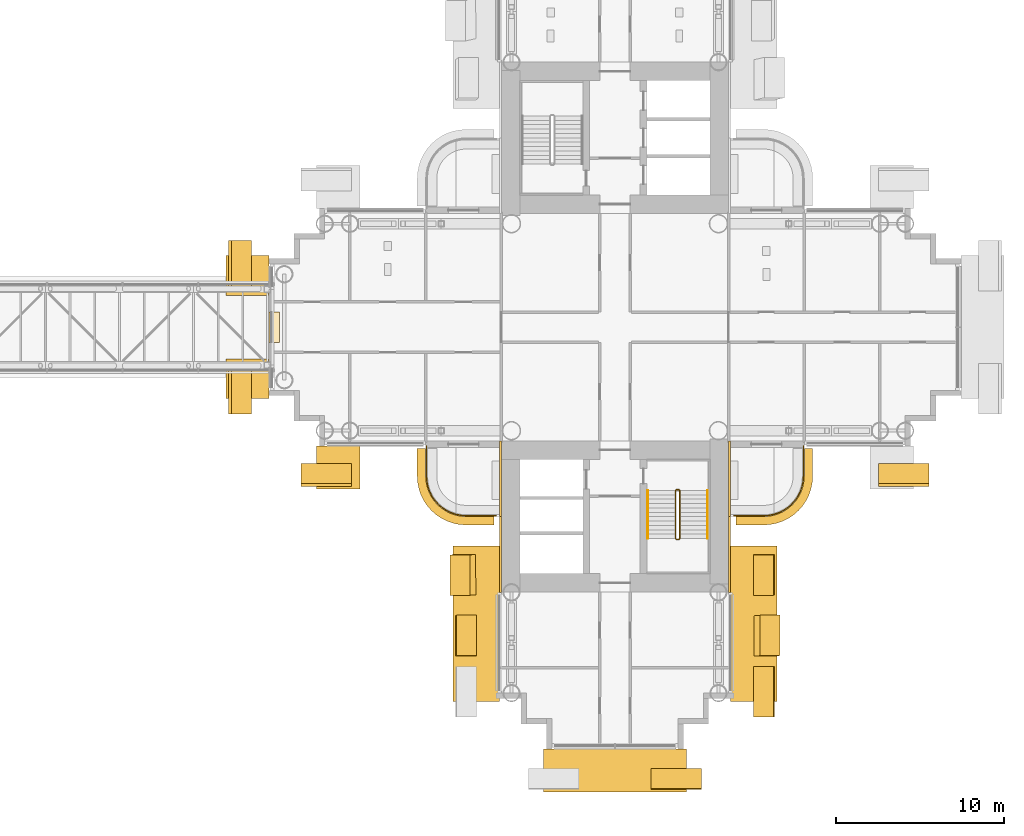
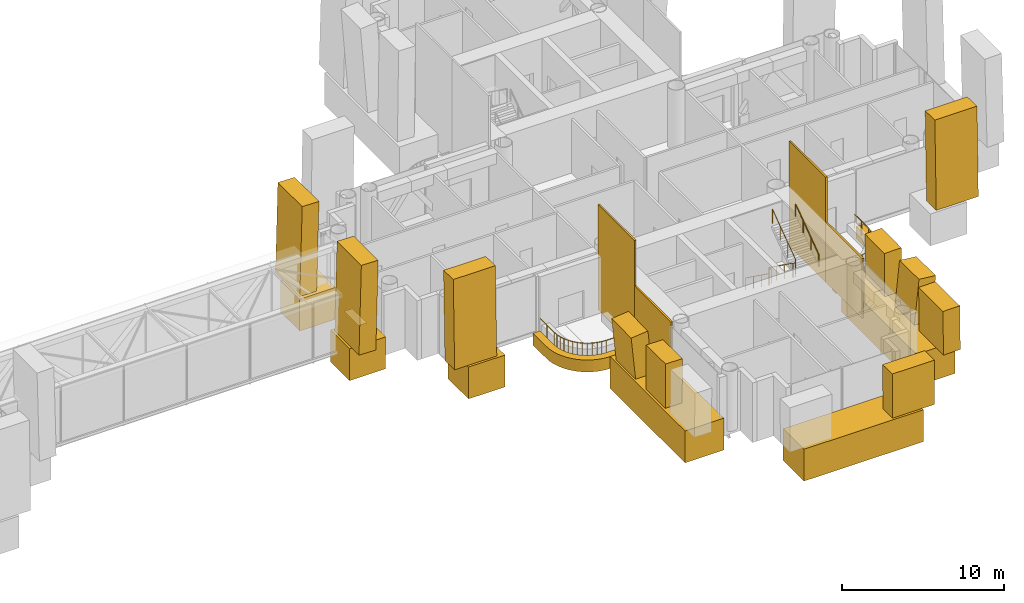
# One storey, part 25 of 27: 23 coverings, 5 railings.
"""IFC4 building model written with IfcOpenShell, lengths in metres."""

from ifc_helpers import new_model, si_unit, direction, frame, origin, origin_2d, place, context, subcontext, project, spatial, polyline, rectangle, circle, outline, extrude, material, layer, layer_set, material_profile, profile_set, type_object, element, save


model = new_model("IFC4")

# Units and contexts
model_context = context("Model", 3, precision=1e-05, world=origin(), true_north=direction((0.0, 1.0)))
body_context = subcontext(model_context, "Body", "Model", "MODEL_VIEW")
ifc_project = project(units=[si_unit("LENGTHUNIT", "METRE"), si_unit("AREAUNIT", "SQUARE_METRE"), si_unit("VOLUMEUNIT", "CUBIC_METRE"), si_unit("PLANEANGLEUNIT", "RADIAN"), si_unit("MASSUNIT", "GRAM", prefix="KILO")], contexts=[model_context])

# Site, building, storey
site_placement = place(None, origin())
site = spatial("IfcSite", under=ifc_project, at=site_placement, CompositionType="ELEMENT")
building_placement = place(site_placement, origin())
building = spatial("IfcBuilding", under=site, at=building_placement, Name="Ipe Terrace Towers", CompositionType="ELEMENT")
storey_placement = place(building_placement, frame((0.0, 0.0, 72.10009765625)))
storey = spatial("IfcBuildingStorey", under=building, at=storey_placement, Name="L19", CompositionType="ELEMENT", Elevation=72.10009765625)

# Railings
ifc_material_1 = material(Name="Stainless steel S316", Category="steel")
railing_type_1 = type_object("IfcRailingType", Name="GUARD 1100", PredefinedType="BALUSTRADE", material=ifc_material_1)
railing_1_placement = place(storey_placement, frame((24.800048828125, -7.070068359375, -0.02001953125)))
element("IfcRailing", 1, at=railing_1_placement, inside=storey, type_object=railing_type_1, Name="guard", PredefinedType="BALUSTRADE", context=body_context, shape_type="SweptSolid", body=[
    extrude(circle(Radius=0.02392578125, at=origin_2d()), frame((0.0, 0.0, 1.076171875), z_axis=(0.0, -1.0, 0.0), x_axis=(1.0, 0.0, 0.0)), (0.0, 0.0, 1.0), 1.77783203125),
    extrude(circle(Radius=0.02392578125, at=origin_2d()), frame((0.0, -1.77783203125, 1.076171875), z_axis=(0.064635492184, -0.99790894031, 0.0), x_axis=(0.99790894031, 0.064635492184, 0.0)), (0.0, 0.0, 1.0), 0.309814453125),
    extrude(circle(Radius=0.02392578125, at=origin_2d()), frame((0.02001953125, -2.0869140625, 1.076171875), z_axis=(0.194892169718, -0.980824674538, 0.0), x_axis=(0.980824674538, 0.194892169718, 0.0)), (0.0, 0.0, 1.0), 0.306884765625),
    extrude(circle(Radius=0.02392578125, at=origin_2d()), frame((0.079833984375, -2.387939453125, 1.076171875), z_axis=(0.322415209212, -0.946598348228, 0.0), x_axis=(0.946598348228, 0.322415209212, 0.0)), (0.0, 0.0, 1.0), 0.307373046875),
    extrude(circle(Radius=0.02392578125, at=origin_2d()), frame((0.178955078125, -2.678955078125, 1.076171875), z_axis=(0.44212629539, -0.896952807524, 0.0), x_axis=(0.896952807524, 0.44212629539, 0.0)), (0.0, 0.0, 1.0), 0.3076171875),
    extrude(circle(Radius=0.02392578125, at=origin_2d()), frame((0.31494140625, -2.954833984375, 1.076171875), z_axis=(0.555066120228, -0.831806228742, 0.0), x_axis=(0.831806228742, 0.555066120228, 0.0)), (0.0, 0.0, 1.0), 0.307861328125),
    extrude(circle(Radius=0.02392578125, at=origin_2d()), frame((0.48583984375, -3.2109375, 1.076171875), z_axis=(0.658617227954, -0.752478137252, 0.0), x_axis=(0.752478137252, 0.658617227954, 0.0)), (0.0, 0.0, 1.0), 0.306884765625),
    extrude(circle(Radius=0.02392578125, at=origin_2d()), frame((0.68798828125, -3.44189453125, 1.076171875), z_axis=(0.752478137252, -0.658617227954, 0.0), x_axis=(0.658617227954, 0.752478137252, 0.0)), (0.0, 0.0, 1.0), 0.306884765625),
    extrude(circle(Radius=0.02392578125, at=origin_2d()), frame((0.9189453125, -3.64404296875, 1.076171875), z_axis=(0.831806228742, -0.555066120228, 0.0), x_axis=(0.555066120228, 0.831806228742, 0.0)), (0.0, 0.0, 1.0), 0.307861328125),
    extrude(circle(Radius=0.02392578125, at=origin_2d()), frame((1.175048828125, -3.81494140625, 1.076171875), z_axis=(0.896952807524, -0.44212629539, 0.0), x_axis=(0.44212629539, 0.896952807524, 0.0)), (0.0, 0.0, 1.0), 0.3076171875),
    extrude(circle(Radius=0.02392578125, at=origin_2d()), frame((1.450927734375, -3.950927734375, 1.076171875), z_axis=(0.946598348228, -0.322415209212, 0.0), x_axis=(0.322415209212, 0.946598348228, 0.0)), (0.0, 0.0, 1.0), 0.307373046875),
    extrude(circle(Radius=0.02392578125, at=origin_2d()), frame((1.741943359375, -4.050048828125, 1.076171875), z_axis=(0.980824674538, -0.194892169718, 0.0), x_axis=(0.194892169718, 0.980824674538, 0.0)), (0.0, 0.0, 1.0), 0.306884765625),
    extrude(circle(Radius=0.02392578125, at=origin_2d()), frame((2.04296875, -4.10986328125, 1.076171875), z_axis=(0.99790894031, -0.064635492184, 0.0), x_axis=(0.064635492184, 0.99790894031, 0.0)), (0.0, 0.0, 1.0), 0.309814453125),
    extrude(circle(Radius=0.02392578125, at=origin_2d()), frame((2.35205078125, -4.1298828125, 1.076171875), z_axis=(1.0, 0.0, 0.0), x_axis=(0.0, 1.0, 0.0)), (0.0, 0.0, 1.0), 1.77783203125),
    extrude(circle(Radius=0.02099609375, at=origin_2d()), origin(), (0.0, 0.0, 1.0), 1.052001953125),
    extrude(circle(Radius=0.02099609375, at=origin_2d()), frame((0.0, -0.888916015625, 0.0)), (0.0, 0.0, 1.0), 1.052001953125),
    extrude(circle(Radius=0.02099609375, at=origin_2d()), frame((0.0, -1.77783203125, 0.0)), (0.0, 0.0, 1.0), 1.052001953125),
    extrude(circle(Radius=0.02099609375, at=origin_2d()), frame((0.02001953125, -2.0869140625, 0.0)), (0.0, 0.0, 1.0), 1.052001953125),
    extrude(circle(Radius=0.02099609375, at=origin_2d()), frame((0.079833984375, -2.387939453125, 0.0)), (0.0, 0.0, 1.0), 1.052001953125),
    extrude(circle(Radius=0.02099609375, at=origin_2d()), frame((0.178955078125, -2.678955078125, 0.0)), (0.0, 0.0, 1.0), 1.052001953125),
    extrude(circle(Radius=0.02099609375, at=origin_2d()), frame((0.31494140625, -2.954833984375, 0.0)), (0.0, 0.0, 1.0), 1.052001953125),
    extrude(circle(Radius=0.02099609375, at=origin_2d()), frame((0.48583984375, -3.2109375, 0.0)), (0.0, 0.0, 1.0), 1.052001953125),
    extrude(circle(Radius=0.02099609375, at=origin_2d()), frame((0.68798828125, -3.44189453125, 0.0)), (0.0, 0.0, 1.0), 1.052001953125),
    extrude(circle(Radius=0.02099609375, at=origin_2d()), frame((0.9189453125, -3.64404296875, 0.0)), (0.0, 0.0, 1.0), 1.052001953125),
    extrude(circle(Radius=0.02099609375, at=origin_2d()), frame((1.175048828125, -3.81494140625, 0.0)), (0.0, 0.0, 1.0), 1.052001953125),
    extrude(circle(Radius=0.02099609375, at=origin_2d()), frame((1.450927734375, -3.950927734375, 0.0)), (0.0, 0.0, 1.0), 1.052001953125),
    extrude(circle(Radius=0.02099609375, at=origin_2d()), frame((1.741943359375, -4.050048828125, 0.0)), (0.0, 0.0, 1.0), 1.052001953125),
    extrude(circle(Radius=0.02099609375, at=origin_2d()), frame((2.04296875, -4.10986328125, 0.0)), (0.0, 0.0, 1.0), 1.052001953125),
    extrude(circle(Radius=0.02099609375, at=origin_2d()), frame((2.35205078125, -4.1298828125, 0.0)), (0.0, 0.0, 1.0), 1.052001953125),
    extrude(circle(Radius=0.02099609375, at=origin_2d()), frame((3.240966796875, -4.1298828125, 0.0)), (0.0, 0.0, 1.0), 1.052001953125),
    extrude(circle(Radius=0.02099609375, at=origin_2d()), frame((4.1298828125, -4.1298828125, 0.0)), (0.0, 0.0, 1.0), 1.052001953125),
])
railing_2_placement = place(storey_placement, frame((43.070068359375, -11.199951171875, -0.02001953125)))
element("IfcRailing", 2, at=railing_2_placement, inside=storey, type_object=railing_type_1, Name="guard", PredefinedType="BALUSTRADE", context=body_context, shape_type="SweptSolid", body=[
    extrude(circle(Radius=0.02392578125, at=origin_2d()), frame((0.0, 0.0, 1.076171875), z_axis=(1.0, 0.0, 0.0), x_axis=(0.0, 1.0, 0.0)), (0.0, 0.0, 1.0), 1.77783203125),
    extrude(circle(Radius=0.02392578125, at=origin_2d()), frame((1.77783203125, 0.0, 1.076171875), z_axis=(0.99790894031, 0.064635492184, 0.0), x_axis=(-0.064635492184, 0.99790894031, 0.0)), (0.0, 0.0, 1.0), 0.309814453125),
    extrude(circle(Radius=0.02392578125, at=origin_2d()), frame((2.0869140625, 0.02001953125, 1.076171875), z_axis=(0.980824674538, 0.194892169718, 0.0), x_axis=(-0.194892169718, 0.980824674538, 0.0)), (0.0, 0.0, 1.0), 0.306884765625),
    extrude(circle(Radius=0.02392578125, at=origin_2d()), frame((2.387939453125, 0.079833984375, 1.076171875), z_axis=(0.946598348228, 0.322415209212, 0.0), x_axis=(-0.322415209212, 0.946598348228, 0.0)), (0.0, 0.0, 1.0), 0.307373046875),
    extrude(circle(Radius=0.02392578125, at=origin_2d()), frame((2.678955078125, 0.178955078125, 1.076171875), z_axis=(0.896952807524, 0.44212629539, 0.0), x_axis=(-0.44212629539, 0.896952807524, 0.0)), (0.0, 0.0, 1.0), 0.3076171875),
    extrude(circle(Radius=0.02392578125, at=origin_2d()), frame((2.954833984375, 0.31494140625, 1.076171875), z_axis=(0.831806228742, 0.555066120228, 0.0), x_axis=(-0.555066120228, 0.831806228742, 0.0)), (0.0, 0.0, 1.0), 0.307861328125),
    extrude(circle(Radius=0.02392578125, at=origin_2d()), frame((3.2109375, 0.48583984375, 1.076171875), z_axis=(0.752478137252, 0.658617227954, 0.0), x_axis=(-0.658617227954, 0.752478137252, 0.0)), (0.0, 0.0, 1.0), 0.306884765625),
    extrude(circle(Radius=0.02392578125, at=origin_2d()), frame((3.44189453125, 0.68798828125, 1.076171875), z_axis=(0.658617227954, 0.752478137252, 0.0), x_axis=(-0.752478137252, 0.658617227954, 0.0)), (0.0, 0.0, 1.0), 0.306884765625),
    extrude(circle(Radius=0.02392578125, at=origin_2d()), frame((3.64404296875, 0.9189453125, 1.076171875), z_axis=(0.555066120228, 0.831806228742, 0.0), x_axis=(-0.831806228742, 0.555066120228, 0.0)), (0.0, 0.0, 1.0), 0.307861328125),
    extrude(circle(Radius=0.02392578125, at=origin_2d()), frame((3.81494140625, 1.175048828125, 1.076171875), z_axis=(0.44212629539, 0.896952807524, 0.0), x_axis=(-0.896952807524, 0.44212629539, 0.0)), (0.0, 0.0, 1.0), 0.3076171875),
    extrude(circle(Radius=0.02392578125, at=origin_2d()), frame((3.950927734375, 1.450927734375, 1.076171875), z_axis=(0.322415209212, 0.946598348228, 0.0), x_axis=(-0.946598348228, 0.322415209212, 0.0)), (0.0, 0.0, 1.0), 0.307373046875),
    extrude(circle(Radius=0.02392578125, at=origin_2d()), frame((4.050048828125, 1.741943359375, 1.076171875), z_axis=(0.194892169718, 0.980824674538, 0.0), x_axis=(-0.980824674538, 0.194892169718, 0.0)), (0.0, 0.0, 1.0), 0.306884765625),
    extrude(circle(Radius=0.02392578125, at=origin_2d()), frame((4.10986328125, 2.04296875, 1.076171875), z_axis=(0.064635492184, 0.99790894031, 0.0), x_axis=(-0.99790894031, 0.064635492184, 0.0)), (0.0, 0.0, 1.0), 0.309814453125),
    extrude(circle(Radius=0.02392578125, at=origin_2d()), frame((4.1298828125, 2.35205078125, 1.076171875), z_axis=(0.0, 1.0, 0.0), x_axis=(-1.0, 0.0, 0.0)), (0.0, 0.0, 1.0), 1.77783203125),
    extrude(circle(Radius=0.02099609375, at=origin_2d()), origin(), (0.0, 0.0, 1.0), 1.052001953125),
    extrude(circle(Radius=0.02099609375, at=origin_2d()), frame((0.888916015625, 0.0, 0.0)), (0.0, 0.0, 1.0), 1.052001953125),
    extrude(circle(Radius=0.02099609375, at=origin_2d()), frame((1.77783203125, 0.0, 0.0)), (0.0, 0.0, 1.0), 1.052001953125),
    extrude(circle(Radius=0.02099609375, at=origin_2d()), frame((2.0869140625, 0.02001953125, 0.0)), (0.0, 0.0, 1.0), 1.052001953125),
    extrude(circle(Radius=0.02099609375, at=origin_2d()), frame((2.387939453125, 0.079833984375, 0.0)), (0.0, 0.0, 1.0), 1.052001953125),
    extrude(circle(Radius=0.02099609375, at=origin_2d()), frame((2.678955078125, 0.178955078125, 0.0)), (0.0, 0.0, 1.0), 1.052001953125),
    extrude(circle(Radius=0.02099609375, at=origin_2d()), frame((2.954833984375, 0.31494140625, 0.0)), (0.0, 0.0, 1.0), 1.052001953125),
    extrude(circle(Radius=0.02099609375, at=origin_2d()), frame((3.2109375, 0.48583984375, 0.0)), (0.0, 0.0, 1.0), 1.052001953125),
    extrude(circle(Radius=0.02099609375, at=origin_2d()), frame((3.44189453125, 0.68798828125, 0.0)), (0.0, 0.0, 1.0), 1.052001953125),
    extrude(circle(Radius=0.02099609375, at=origin_2d()), frame((3.64404296875, 0.9189453125, 0.0)), (0.0, 0.0, 1.0), 1.052001953125),
    extrude(circle(Radius=0.02099609375, at=origin_2d()), frame((3.81494140625, 1.175048828125, 0.0)), (0.0, 0.0, 1.0), 1.052001953125),
    extrude(circle(Radius=0.02099609375, at=origin_2d()), frame((3.950927734375, 1.450927734375, 0.0)), (0.0, 0.0, 1.0), 1.052001953125),
    extrude(circle(Radius=0.02099609375, at=origin_2d()), frame((4.050048828125, 1.741943359375, 0.0)), (0.0, 0.0, 1.0), 1.052001953125),
    extrude(circle(Radius=0.02099609375, at=origin_2d()), frame((4.10986328125, 2.04296875, 0.0)), (0.0, 0.0, 1.0), 1.052001953125),
    extrude(circle(Radius=0.02099609375, at=origin_2d()), frame((4.1298828125, 2.35205078125, 0.0)), (0.0, 0.0, 1.0), 1.052001953125),
    extrude(circle(Radius=0.02099609375, at=origin_2d()), frame((4.1298828125, 3.240966796875, 0.0)), (0.0, 0.0, 1.0), 1.052001953125),
    extrude(circle(Radius=0.02099609375, at=origin_2d()), frame((4.1298828125, 4.1298828125, 0.0)), (0.0, 0.0, 1.0), 1.052001953125),
])

# Coverings
ifc_material_2 = material(Name="Stainless steel S316 chequer plate", Category="steel")
ifc_layer_1 = layer(ifc_material_2, 0.011962890625)
ifc_layer_set_1 = layer_set([ifc_layer_1], Name="MOVEMENT JOINT COVER PLATE 12")
covering_type_1 = type_object("IfcCoveringType", Name="MOVEMENT JOINT COVER PLATE 12", PredefinedType="FLOORING", material=ifc_layer_set_1)
covering_1_placement = place(storey_placement, origin())
element("IfcCovering", 3, at=covering_1_placement, inside=storey, type_object=covering_type_1, Name="BR1-JC movement joint cover plate", PredefinedType="FLOORING", context=body_context, shape_type="SweptSolid", body=[
    extrude(outline(polyline([(15.449951171875, -0.89990234375), (16.050048828125, -0.89990234375), (16.050048828125, 0.89990234375), (15.449951171875, 0.89990234375), (15.449951171875, -0.89990234375)])), origin(), (0.0, 0.0, 1.0), 0.011962890625),
])
ifc_material_3 = material(Name="Concrete C50/60 precast, buff finish", Category="concrete")
ifc_layer_2 = layer(ifc_material_3, 0.1201171875)
ifc_layer_set_2 = layer_set([ifc_layer_2], Name="STONE CORE CLADDING 120")
covering_type_2 = type_object("IfcCoveringType", Name="STONE CORE CLADDING 120", PredefinedType="CLADDING", material=ifc_layer_set_2)
covering_2_placement = place(storey_placement, frame((29.18994140625, -13.5, 0.0), z_axis=(0.0, 0.0, 1.0), x_axis=(0.0, -1.0, 0.0)))
element("IfcCovering", 4, at=covering_2_placement, inside=storey, type_object=covering_type_2, Name="stone core cladding", PredefinedType="CLADDING", context=body_context, shape_type="SweptSolid", body=[
    extrude(rectangle(XDim=4.5009765625, YDim=0.1201171875, at=origin_2d()), origin(), (0.0, 0.0, 1.0), 4.5),
])
covering_3_placement = place(storey_placement, frame((29.18994140625, -9.0, 0.0), z_axis=(0.0, 0.0, 1.0), x_axis=(0.0, -1.0, 0.0)))
element("IfcCovering", 5, at=covering_3_placement, inside=storey, type_object=covering_type_2, Name="stone core cladding", PredefinedType="CLADDING", context=body_context, shape_type="SweptSolid", body=[
    extrude(rectangle(XDim=4.5, YDim=0.1201171875, at=origin_2d()), origin(), (0.0, 0.0, 1.0), 7.89990234375),
])
covering_4_placement = place(storey_placement, frame((42.81005859375, -13.5, 0.0), z_axis=(0.0, 0.0, 1.0), x_axis=(0.0, 1.0, 0.0)))
element("IfcCovering", 6, at=covering_4_placement, inside=storey, type_object=covering_type_2, Name="stone core cladding", PredefinedType="CLADDING", context=body_context, shape_type="SweptSolid", body=[
    extrude(rectangle(XDim=4.5009765625, YDim=0.1201171875, at=origin_2d()), origin(), (0.0, 0.0, 1.0), 4.5),
])
covering_5_placement = place(storey_placement, frame((42.81005859375, -9.0, 0.0), z_axis=(0.0, 0.0, 1.0), x_axis=(0.0, 1.0, 0.0)))
element("IfcCovering", 7, at=covering_5_placement, inside=storey, type_object=covering_type_2, Name="stone core cladding", PredefinedType="CLADDING", context=body_context, shape_type="SweptSolid", body=[
    extrude(rectangle(XDim=4.5, YDim=0.1201171875, at=origin_2d()), origin(), (0.0, 0.0, 1.0), 7.89990234375),
])
ifc_material_4 = material(Name="Concrete C50/60 precast, buff finish", Category="concrete")
ifc_layer_3 = layer(ifc_material_4, 0.5)
ifc_layer_set_3 = layer_set([ifc_layer_3], Name="STONE EDGE BAND 500 x 900")
covering_type_3 = type_object("IfcCoveringType", Name="STONE EDGE BAND 500 x 900", PredefinedType="CLADDING", material=ifc_layer_set_3)
covering_6_placement = place(storey_placement, frame((0.0, 0.0, -0.72021484375)))
element("IfcCovering", 8, at=covering_6_placement, inside=storey, type_object=covering_type_3, Name="stone edge band", PredefinedType="CLADDING", context=body_context, shape_type="SweptSolid", body=[
    extrude(outline(polyline([(24.25, -8.85009765625), (24.2509765625, -8.883056640625), (24.27197265625, -9.196044921875), (24.280029296875, -9.260986328125), (24.341064453125, -9.569091796875), (24.35791015625, -9.632080078125), (24.458984375, -9.928955078125), (24.48388671875, -9.989990234375), (24.623046875, -10.27099609375), (24.656005859375, -10.327880859375), (24.830078125, -10.589111328125), (24.8701171875, -10.64111328125), (25.076904296875, -10.876953125), (25.123046875, -10.923095703125), (25.35888671875, -11.1298828125), (25.410888671875, -11.169921875), (25.672119140625, -11.343994140625), (25.72900390625, -11.376953125), (26.010009765625, -11.51611328125), (26.071044921875, -11.541015625), (26.367919921875, -11.64208984375), (26.430908203125, -11.658935546875), (26.739013671875, -11.719970703125), (26.803955078125, -11.72802734375), (27.116943359375, -11.7490234375), (27.14990234375, -11.75), (28.800048828125, -11.75), (28.800048828125, -11.25), (27.14990234375, -11.25), (26.8369140625, -11.22900390625), (26.529052734375, -11.16796875), (26.23193359375, -11.06689453125), (25.949951171875, -10.927978515625), (25.68896484375, -10.75390625), (25.452880859375, -10.547119140625), (25.24609375, -10.31103515625), (25.072021484375, -10.050048828125), (24.93310546875, -9.76806640625), (24.83203125, -9.470947265625), (24.77099609375, -9.1630859375), (24.75, -8.85009765625), (24.75, -7.199951171875), (24.25, -7.199951171875), (24.25, -8.85009765625)])), origin(), (0.0, 0.0, 1.0), 0.900146484375),
])
covering_7_placement = place(storey_placement, frame((0.0, 0.0, -0.72021484375)))
element("IfcCovering", 9, at=covering_7_placement, inside=storey, type_object=covering_type_3, Name="stone edge band", PredefinedType="CLADDING", context=body_context, shape_type="SweptSolid", body=[
    extrude(outline(polyline([(47.75, -8.85009765625), (47.75, -7.199951171875), (47.25, -7.199951171875), (47.25, -8.85009765625), (47.22900390625, -9.1630859375), (47.16796875, -9.470947265625), (47.06689453125, -9.76806640625), (46.927978515625, -10.050048828125), (46.75390625, -10.31103515625), (46.547119140625, -10.547119140625), (46.31103515625, -10.75390625), (46.050048828125, -10.927978515625), (45.76806640625, -11.06689453125), (45.470947265625, -11.16796875), (45.1630859375, -11.22900390625), (44.85009765625, -11.25), (43.199951171875, -11.25), (43.199951171875, -11.75), (44.85009765625, -11.75), (44.883056640625, -11.7490234375), (45.196044921875, -11.72802734375), (45.260986328125, -11.719970703125), (45.569091796875, -11.658935546875), (45.632080078125, -11.64208984375), (45.928955078125, -11.541015625), (45.989990234375, -11.51611328125), (46.27099609375, -11.376953125), (46.327880859375, -11.343994140625), (46.589111328125, -11.169921875), (46.64111328125, -11.1298828125), (46.876953125, -10.923095703125), (46.923095703125, -10.876953125), (47.1298828125, -10.64111328125), (47.169921875, -10.589111328125), (47.343994140625, -10.327880859375), (47.376953125, -10.27099609375), (47.51611328125, -9.989990234375), (47.541015625, -9.928955078125), (47.64208984375, -9.632080078125), (47.658935546875, -9.569091796875), (47.719970703125, -9.260986328125), (47.72802734375, -9.196044921875), (47.7490234375, -8.883056640625), (47.75, -8.85009765625)])), origin(), (0.0, 0.0, 1.0), 0.900146484375),
])
ifc_material_5 = material(Name="Concrete C50/60 precast, buff finish", Category="concrete")
ifc_material_profile_1 = material_profile(ifc_material_5, rectangle(XDim=2.39990234375, YDim=1.199951171875, at=origin_2d()), Name="STONE FIN 2400 x 1200")
ifc_profile_set_1 = profile_set([ifc_material_profile_1], Name="Concrete C50/60 precast, buff finish")
covering_type_4 = type_object("IfcCoveringType", Name="STONE FIN 2400 x 1200", PredefinedType="USERDEFINED", material=ifc_profile_set_1)
covering_8_placement = place(storey_placement, frame((27.1298828125, -18.35009765625, 1.199951171875), z_axis=(0.012797002199, 0.010060071093, 0.999867507075), x_axis=(0.000128745264, -0.999949396204, 0.010059247241)))
element("IfcCovering", 10, at=covering_8_placement, inside=storey, type_object=covering_type_4, Name="stone fin", ObjectType="FIN", PredefinedType="USERDEFINED", context=body_context, shape_type="SweptSolid", body=[
    extrude(rectangle(XDim=2.39990234375, YDim=1.199951171875, at=origin_2d()), origin(), (0.0, 0.0, 1.0), 3.300537109375),
])
for number, where, z_axis, x_axis, name in (
    (11, (27.1298828125, -14.699951171875, 1.199951171875), (-0.104254493834, -0.009932502941, 0.994501053745), (0.001035559148, -0.999950671476, -0.009878371927), "stone fin"),
    (12, (44.8701171875, -18.35009765625, 1.199951171875), (0.104254417366, 0.010006069698, 0.994500324298), (-0.001043229192, 0.999949938032, -0.009951537753), "stone fin"),
):
    element("IfcCovering", number, at=place(storey_placement, frame(where, z_axis=z_axis, x_axis=x_axis)), inside=storey, type_object=covering_type_4, Name=name, ObjectType="FIN", PredefinedType="USERDEFINED", context=body_context, shape_type="SweptSolid", body=[
        extrude(rectangle(XDim=2.39990234375, YDim=1.199951171875, at=origin_2d()), origin(), (0.0, 0.0, 1.0), 3.318359375),
    ])
covering_9_placement = place(storey_placement, frame((44.8701171875, -14.699951171875, 1.199951171875), z_axis=(-0.012797011687, -0.009986107386, 0.999868248396), x_axis=(-0.000127798703, 0.999950137587, 0.009985289591)))
element("IfcCovering", 13, at=covering_9_placement, inside=storey, type_object=covering_type_4, Name="stone fin", ObjectType="FIN", PredefinedType="USERDEFINED", context=body_context, shape_type="SweptSolid", body=[
    extrude(rectangle(XDim=2.39990234375, YDim=1.199951171875, at=origin_2d()), origin(), (0.0, 0.0, 1.0), 3.300537109375),
])
ifc_material_6 = material(Name="Concrete C50/60 precast, buff finish", Category="concrete")
ifc_material_profile_2 = material_profile(ifc_material_6, rectangle(XDim=3.0, YDim=1.199951171875, at=origin_2d()), Name="STONE FIN CORNER 3000 x 1200")
ifc_profile_set_2 = profile_set([ifc_material_profile_2], Name="Concrete C50/60 precast, buff finish")
covering_type_5 = type_object("IfcCoveringType", Name="STONE FIN CORNER 3000 x 1200", PredefinedType="USERDEFINED", material=ifc_profile_set_2)
for number, where, z_axis, x_axis, name in (
    (14, (13.6298828125, -3.64990234375, 1.199951171875), (0.025098675446, 0.0, 0.999684978626), (0.0, -1.0, 0.0), "stone fin"),
    (15, (13.6298828125, 3.64990234375, 1.199951171875), (0.025098675446, 0.0, 0.999684978626), (0.0, -1.0, 0.0), "stone fin"),
    (16, (18.85009765625, -8.8701171875, 1.199951171875), (0.0, 0.025098675446, 0.999684978626), (1.0, 0.0, 0.0), "stone fin"),
):
    element("IfcCovering", number, at=place(storey_placement, frame(where, z_axis=z_axis, x_axis=x_axis)), inside=storey, type_object=covering_type_5, Name=name, ObjectType="FIN", PredefinedType="USERDEFINED", context=body_context, shape_type="SweptSolid", body=[
        extrude(rectangle(XDim=3.0, YDim=1.199951171875, at=origin_2d()), origin(), (0.0, 0.0, 1.0), 6.7021484375),
    ])
for number, where, z_axis, x_axis, name in (
    (17, (39.64990234375, -26.8701171875, 1.199951171875), (0.0, 0.012797649809, 0.999918106726), (1.0, 0.0, 0.0), "stone fin"),
    (18, (44.8701171875, -21.64990234375, 1.199951171875), (-0.012797649809, 0.0, 0.999918106726), (0.0, 1.0, 0.0), "stone fin"),
):
    element("IfcCovering", number, at=place(storey_placement, frame(where, z_axis=z_axis, x_axis=x_axis)), inside=storey, type_object=covering_type_5, Name=name, ObjectType="FIN", PredefinedType="USERDEFINED", context=body_context, shape_type="SweptSolid", body=[
        extrude(rectangle(XDim=3.0, YDim=1.199951171875, at=origin_2d()), origin(), (0.0, 0.0, 1.0), 3.30029296875),
    ])
covering_10_placement = place(storey_placement, frame((53.14990234375, -8.8701171875, 1.199951171875), z_axis=(0.0, 0.025098675446, 0.999684978626), x_axis=(1.0, 0.0, 0.0)))
element("IfcCovering", 19, at=covering_10_placement, inside=storey, type_object=covering_type_5, Name="stone fin", ObjectType="FIN", PredefinedType="USERDEFINED", context=body_context, shape_type="SweptSolid", body=[
    extrude(rectangle(XDim=3.0, YDim=1.199951171875, at=origin_2d()), origin(), (0.0, 0.0, 1.0), 6.7021484375),
])
ifc_material_7 = material(Name="Concrete C50/60 precast, buff finish", Category="concrete")
ifc_material_profile_3 = material_profile(ifc_material_7, rectangle(XDim=2.56005859375, YDim=2.39990234375, at=origin_2d()), Name="STONE FIN SPANDREL 2560 x 2400")
ifc_profile_set_3 = profile_set([ifc_material_profile_3], Name="Concrete C50/60 precast, buff finish")
covering_type_6 = type_object("IfcCoveringType", Name="STONE FIN SPANDREL 2560 x 2400", PredefinedType="CLADDING", material=ifc_profile_set_3)
for number, where, z_axis, x_axis, name in (
    (20, (14.159912109375, 4.25, 0.0), (0.0, -1.0, 0.0), (-1.0, 0.0, 0.0), "stone fin spandrel"),
    (21, (14.159912109375, -1.89990234375, 0.0), (0.0, -1.0, 0.0), (-1.0, 0.0, 0.0), "stone fin spandrel"),
):
    element("IfcCovering", number, at=place(storey_placement, frame(where, z_axis=z_axis, x_axis=x_axis)), inside=storey, type_object=covering_type_6, Name=name, PredefinedType="CLADDING", context=body_context, shape_type="SweptSolid", body=[
        extrude(rectangle(XDim=2.56005859375, YDim=2.39990234375, at=origin_2d()), origin(), (0.0, 0.0, 1.0), 2.35009765625),
    ])
covering_11_placement = place(storey_placement, frame((18.25, -8.340087890625, 0.0), z_axis=(1.0, 0.0, 0.0), x_axis=(0.0, -1.0, 0.0)))
element("IfcCovering", 22, at=covering_11_placement, inside=storey, type_object=covering_type_6, Name="stone fin spandrel", PredefinedType="CLADDING", context=body_context, shape_type="SweptSolid", body=[
    extrude(rectangle(XDim=2.56005859375, YDim=2.39990234375, at=origin_2d()), origin(), (0.0, 0.0, 1.0), 2.60009765625),
])
covering_12_placement = place(storey_placement, frame((31.75, -26.340087890625, 0.0), z_axis=(1.0, 0.0, 0.0), x_axis=(0.0, -1.0, 0.0)))
element("IfcCovering", 23, at=covering_12_placement, inside=storey, type_object=covering_type_6, Name="stone fin spandrel", PredefinedType="CLADDING", context=body_context, shape_type="SweptSolid", body=[
    extrude(rectangle(XDim=2.56005859375, YDim=2.39990234375, at=origin_2d()), origin(), (0.0, 0.0, 1.0), 8.5),
])
ifc_material_8 = material(Name="Concrete C50/60 precast, buff finish", Category="concrete")
ifc_material_profile_4 = material_profile(ifc_material_8, rectangle(XDim=2.760009765625, YDim=2.39990234375, at=origin_2d()), Name="STONE FIN SPANDREL 2760 x 2400")
ifc_profile_set_4 = profile_set([ifc_material_profile_4], Name="Concrete C50/60 precast, buff finish")
covering_type_7 = type_object("IfcCoveringType", Name="STONE FIN SPANDREL 2760 x 2400", PredefinedType="CLADDING", material=ifc_profile_set_4)
for number, where, z_axis, x_axis, name in (
    (24, (44.239990234375, -22.25, 0.0), (0.0, 1.0, 0.0), (1.0, 0.0, 0.0), "stone fin spandrel"),
    (25, (27.760009765625, -13.0, 0.0), (0.0, -1.0, 0.0), (-1.0, 0.0, 0.0), "stone fin spandrel"),
):
    element("IfcCovering", number, at=place(storey_placement, frame(where, z_axis=z_axis, x_axis=x_axis)), inside=storey, type_object=covering_type_7, Name=name, PredefinedType="CLADDING", context=body_context, shape_type="SweptSolid", body=[
        extrude(rectangle(XDim=2.760009765625, YDim=2.39990234375, at=origin_2d()), origin(), (0.0, 0.0, 1.0), 9.25),
    ])

# Railings
ifc_material_9 = material(Name="Steel S355", Category="steel")
railing_type_2 = type_object("IfcRailingType", Name="Stair guard 1100", PredefinedType="GUARDRAIL", material=ifc_material_9)
railing_3_placement = place(storey_placement, frame((39.800048828125, -9.64990234375, 0.0)))
element("IfcRailing", 26, at=railing_3_placement, inside=storey, type_object=railing_type_2, Name="L19 T2-ST2 stair guard 1", PredefinedType="GUARDRAIL", context=body_context, shape_type="SweptSolid", body=[
    extrude(circle(Radius=0.02392578125, at=origin_2d()), frame((0.0, 0.0, 1.076171875), z_axis=(-1.0, 0.0, 0.0), x_axis=(0.0, -1.0, 0.0)), (0.0, 0.0, 1.0), 0.150146484375),
    extrude(circle(Radius=0.02392578125, at=origin_2d()), frame((-0.150146484375, 0.0, 1.076171875), z_axis=(-0.248583702486, -0.249802250048, 0.935844527007), x_axis=(0.708833529934, -0.705375805398, 0.0)), (0.0, 0.0, 1.0), 0.200439453125),
    extrude(circle(Radius=0.02392578125, at=origin_2d()), frame((-0.199951171875, -0.050048828125, 1.263671875), z_axis=(0.0, -0.811100754333, 0.584906459462), x_axis=(1.0, 0.0, 0.0)), (0.0, 0.0, 1.0), 3.526123046875),
    extrude(circle(Radius=0.02392578125, at=origin_2d()), frame((-0.199951171875, -2.91015625, 3.326171875), z_axis=(0.705375805398, -0.708833529934, 0.0), x_axis=(0.708833529934, 0.705375805398, 0.0)), (0.0, 0.0, 1.0), 0.070556640625),
    extrude(circle(Radius=0.02392578125, at=origin_2d()), frame((-0.150146484375, -2.960205078125, 3.326171875), z_axis=(1.0, 0.0, 0.0), x_axis=(0.0, 1.0, 0.0)), (0.0, 0.0, 1.0), 0.150146484375),
    extrude(circle(Radius=0.02392578125, at=origin_2d()), frame((0.0, -2.960205078125, 3.326171875), z_axis=(0.249726431254, 0.249726431254, 0.935560483917), x_axis=(-0.707106781187, 0.707106781187, 0.0)), (0.0, 0.0, 1.0), 0.200439453125),
    extrude(circle(Radius=0.02392578125, at=origin_2d()), frame((0.050048828125, -2.91015625, 3.513671875), z_axis=(0.0, 0.811100754333, 0.584906459462), x_axis=(-1.0, 0.0, 0.0)), (0.0, 0.0, 1.0), 3.526123046875),
    extrude(circle(Radius=0.02099609375, at=origin_2d()), origin(), (0.0, 0.0, 1.0), 1.052001953125),
    extrude(circle(Radius=0.02099609375, at=origin_2d()), frame((-0.150146484375, 0.0, 0.0)), (0.0, 0.0, 1.0), 1.052001953125),
    extrude(circle(Radius=0.02099609375, at=origin_2d()), frame((-0.199951171875, -0.050048828125, 0.1875)), (0.0, 0.0, 1.0), 1.052001953125),
    extrude(circle(Radius=0.02099609375, at=origin_2d()), frame((-0.199951171875, -1.00341796875, 0.875)), (0.0, 0.0, 1.0), 1.052001953125),
    extrude(circle(Radius=0.02099609375, at=origin_2d()), frame((-0.199951171875, -1.956787109375, 1.5625)), (0.0, 0.0, 1.0), 1.052001953125),
    extrude(circle(Radius=0.02099609375, at=origin_2d()), frame((-0.199951171875, -2.91015625, 2.25)), (0.0, 0.0, 1.0), 1.052001953125),
    extrude(circle(Radius=0.02099609375, at=origin_2d()), frame((-0.150146484375, -2.960205078125, 2.25)), (0.0, 0.0, 1.0), 1.052001953125),
    extrude(circle(Radius=0.02099609375, at=origin_2d()), frame((0.0, -2.960205078125, 2.25)), (0.0, 0.0, 1.0), 1.052001953125),
    extrude(circle(Radius=0.02099609375, at=origin_2d()), frame((0.050048828125, -2.91015625, 2.4375)), (0.0, 0.0, 1.0), 1.052001953125),
    extrude(circle(Radius=0.02099609375, at=origin_2d()), frame((0.050048828125, -1.956787109375, 3.125)), (0.0, 0.0, 1.0), 1.052001953125),
    extrude(circle(Radius=0.02099609375, at=origin_2d()), frame((0.050048828125, -1.00341796875, 3.8125)), (0.0, 0.0, 1.0), 1.052001953125),
    extrude(circle(Radius=0.02099609375, at=origin_2d()), frame((0.050048828125, -0.050048828125, 4.5)), (0.0, 0.0, 1.0), 1.052001953125),
])
ifc_material_10 = material(Name="Stainless steel grade 304", Category="steel")
railing_type_3 = type_object("IfcRailingType", Name="Stair handrail 900", PredefinedType="HANDRAIL", material=ifc_material_10)
railing_4_placement = place(storey_placement, frame((37.949951171875, -9.699951171875, 0.1875)))
element("IfcRailing", 27, at=railing_4_placement, inside=storey, type_object=railing_type_3, Name="L19 T2-ST2 stair handrail 1", PredefinedType="HANDRAIL", context=body_context, shape_type="SweptSolid", body=[
    extrude(circle(Radius=0.02392578125, at=origin_2d()), frame((0.0, 0.0, 0.8759765625), z_axis=(0.0, -0.811100754333, 0.584906459462), x_axis=(1.0, 0.0, 0.0)), (0.0, 0.0, 1.0), 3.526123046875),
    extrude(circle(Radius=0.02099609375, at=origin_2d()), origin(), (0.0, 0.0, 1.0), 0.851806640625),
    extrude(circle(Radius=0.02099609375, at=origin_2d()), frame((0.0, -0.953369140625, 0.6875)), (0.0, 0.0, 1.0), 0.851806640625),
    extrude(circle(Radius=0.02099609375, at=origin_2d()), frame((0.0, -1.90673828125, 1.375)), (0.0, 0.0, 1.0), 0.851806640625),
    extrude(circle(Radius=0.02099609375, at=origin_2d()), frame((0.0, -2.860107421875, 2.0625)), (0.0, 0.0, 1.0), 0.851806640625),
])
railing_5_placement = place(storey_placement, frame((41.5, -12.56005859375, 2.4375)))
element("IfcRailing", 28, at=railing_5_placement, inside=storey, type_object=railing_type_3, Name="L19 T2-ST2 stair handrail 2", PredefinedType="HANDRAIL", context=body_context, shape_type="SweptSolid", body=[
    extrude(circle(Radius=0.02392578125, at=origin_2d()), frame((0.0, 0.0, 0.8759765625), z_axis=(0.0, 0.811100754333, 0.584906459462), x_axis=(-1.0, 0.0, 0.0)), (0.0, 0.0, 1.0), 3.526123046875),
    extrude(circle(Radius=0.02099609375, at=origin_2d()), origin(), (0.0, 0.0, 1.0), 0.851806640625),
    extrude(circle(Radius=0.02099609375, at=origin_2d()), frame((0.0, 0.953369140625, 0.6875)), (0.0, 0.0, 1.0), 0.851806640625),
    extrude(circle(Radius=0.02099609375, at=origin_2d()), frame((0.0, 1.90673828125, 1.375)), (0.0, 0.0, 1.0), 0.851806640625),
    extrude(circle(Radius=0.02099609375, at=origin_2d()), frame((0.0, 2.860107421875, 2.0625)), (0.0, 0.0, 1.0), 0.851806640625),
])

save(model, "model.ifc")
